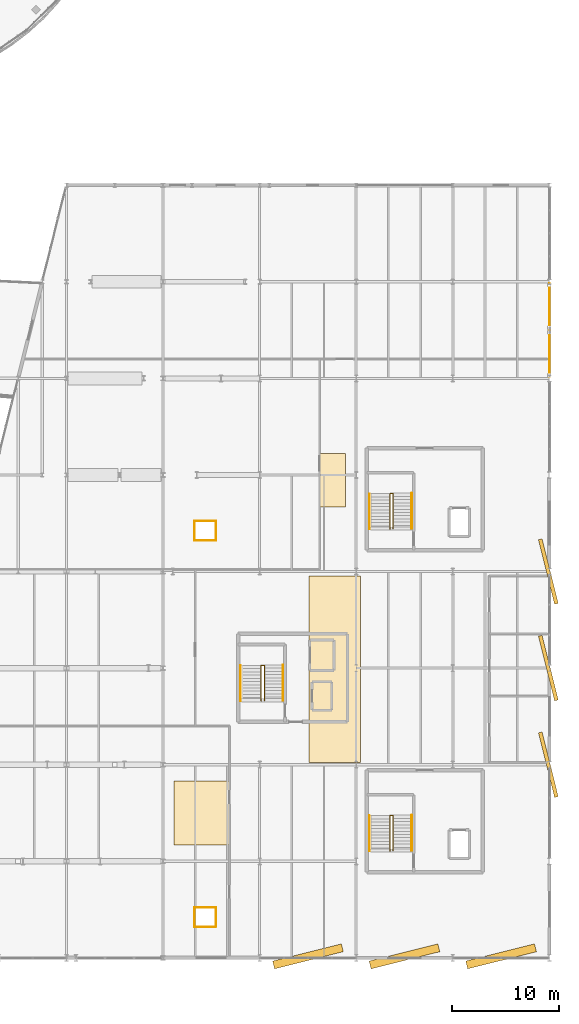
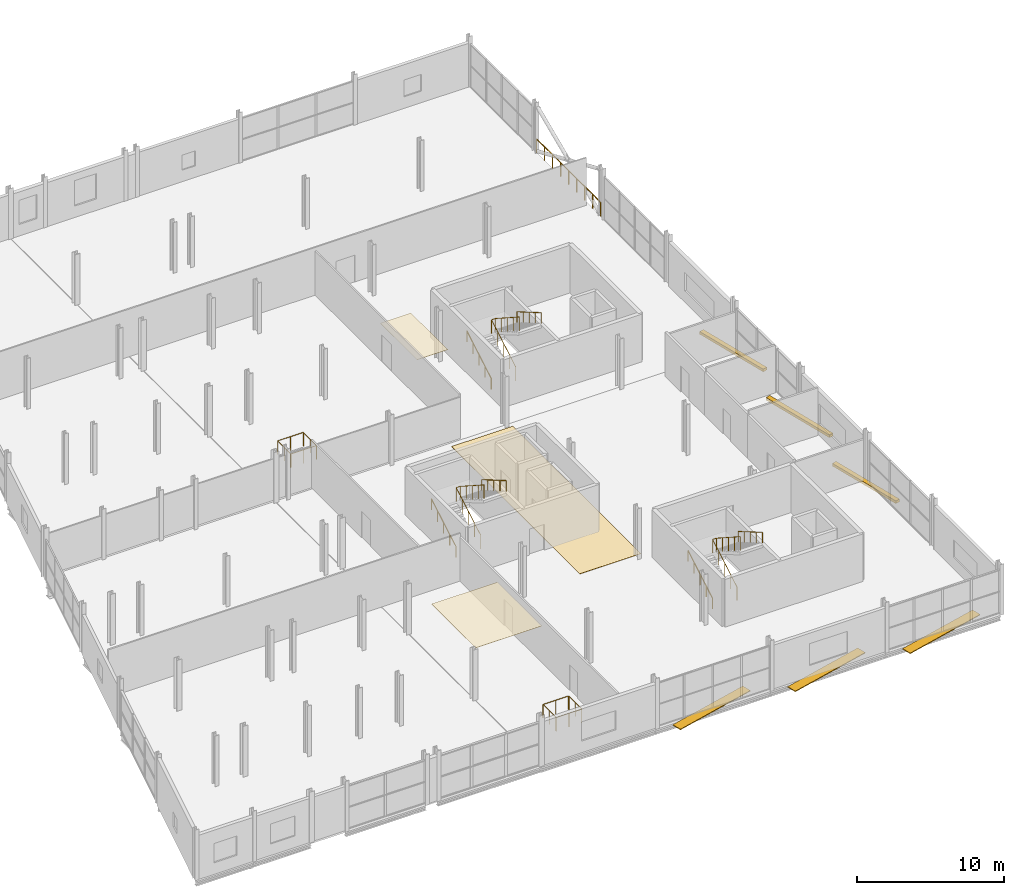
# One storey, part 131 of 135: 14 railings, 6 shading devices, 3 coverings.
"""IFC4 building model written with IfcOpenShell, lengths in metres."""

from ifc_helpers import new_model, si_unit, direction, frame, origin, origin_2d, place, context, subcontext, project, spatial, polyline, rectangle, circle, outline, extrude, material, layer, layer_set, type_object, element, save


model = new_model("IFC4")

# Units and contexts
model_context = context("Model", 3, precision=1e-05, world=origin(), true_north=direction((0.0, 1.0)))
body_context = subcontext(model_context, "Body", "Model", "MODEL_VIEW")
ifc_project = project(units=[si_unit("LENGTHUNIT", "METRE"), si_unit("AREAUNIT", "SQUARE_METRE"), si_unit("VOLUMEUNIT", "CUBIC_METRE"), si_unit("PLANEANGLEUNIT", "RADIAN"), si_unit("MASSUNIT", "GRAM", prefix="KILO")], contexts=[model_context])

# Site, building, storey
site_placement = place(None, origin())
site = spatial("IfcSite", under=ifc_project, at=site_placement, CompositionType="ELEMENT")
building_placement = place(site_placement, origin())
building = spatial("IfcBuilding", under=site, at=building_placement, Name="Deido Ridge Mobility Hub", CompositionType="ELEMENT")
storey_placement = place(building_placement, frame((0.0, 0.0, 4.199951171875)))
storey = spatial("IfcBuildingStorey", under=building, at=storey_placement, Name="L01", CompositionType="ELEMENT", Elevation=4.199951171875)

# Coverings
ifc_material_1 = material(Name="Powder-coated aluminium cladding EN AW-3003", Category="aluminium")
ifc_layer_1 = layer(ifc_material_1, 0.02001953125, Name="Powder-coated aluminium cladding EN AW-3003")
ifc_layer_set_1 = layer_set([ifc_layer_1], Name="Powder-coated aluminium cladding EN AW-3003")
covering_type_1 = type_object("IfcCoveringType", Name="COV-CEIL-ALU-20", PredefinedType="CEILING", material=ifc_layer_set_1)
covering_1_placement = place(storey_placement, frame((0.0, 0.0, 2.949951171875)))
element("IfcCovering", 1, at=covering_1_placement, inside=storey, type_object=covering_type_1, Name="Acoustic suspended ceiling CL1 (L01)", PredefinedType="CEILING", context=body_context, shape_type="SweptSolid", body=[
    extrude(outline(polyline([(145.0, 10.5), (150.199951171875, 10.5), (150.199951171875, 16.5), (145.0, 16.5), (145.0, 10.5)])), origin(), (0.0, 0.0, 1.0), 0.02001953125),
])
covering_2_placement = place(storey_placement, frame((0.0, 0.0, 2.949951171875)))
element("IfcCovering", 2, at=covering_2_placement, inside=storey, type_object=covering_type_1, Name="Corridor acoustic ceiling CL1 (L01)", PredefinedType="CEILING", context=body_context, shape_type="SweptSolid", body=[
    extrude(outline(polyline([(158.60009765625, 42.0), (161.0, 42.0), (161.0, 47.0), (158.60009765625, 47.0), (158.60009765625, 42.0)])), origin(), (0.0, 0.0, 1.0), 0.02001953125),
])
ifc_material_2 = material(Name="Epoxy terrazzo floor finish")
ifc_layer_2 = layer(ifc_material_2, 0.02001953125, Name="Epoxy terrazzo floor finish")
ifc_layer_set_2 = layer_set([ifc_layer_2], Name="Epoxy terrazzo floor finish")
covering_type_2 = type_object("IfcCoveringType", Name="COV-FLR-TER-20", PredefinedType="FLOORING", material=ifc_layer_set_2)
covering_3_placement = place(storey_placement, origin())
element("IfcCovering", 3, at=covering_3_placement, inside=storey, type_object=covering_type_2, Name="Epoxy terrazzo corridor flooring FC1 (L01)", PredefinedType="FLOORING", context=body_context, shape_type="SweptSolid", body=[
    extrude(outline(polyline([(157.60009765625, 18.199951171875), (162.39990234375, 18.199951171875), (162.39990234375, 35.60009765625), (157.60009765625, 35.60009765625), (157.60009765625, 18.199951171875)])), origin(), (0.0, 0.0, 1.0), 0.02001953125),
])

# Railings
ifc_material_3 = material(Name="Galvanised steel work", Category="steel")
railing_type_1 = type_object("IfcRailingType", Name="RL-GRD-EXT-1150", PredefinedType="GUARDRAIL", material=ifc_material_3)
railing_1_placement = place(storey_placement, frame((180.0, 54.14990234375, 0.0)))
element("IfcRailing", 4, at=railing_1_placement, inside=storey, type_object=railing_type_1, Name="Braced bay perimeter guard (L01)", PredefinedType="GUARDRAIL", context=body_context, shape_type="SweptSolid", body=[
    extrude(circle(Radius=0.02392578125, at=origin_2d()), frame((0.0, 0.0, 1.1259765625), z_axis=(0.0, 1.0, 0.0), x_axis=(-1.0, 0.0, 0.0)), (0.0, 0.0, 1.0), 8.7001953125),
    extrude(circle(Radius=0.02099609375, at=origin_2d()), origin(), (0.0, 0.0, 1.0), 1.101806640625),
    extrude(circle(Radius=0.02099609375, at=origin_2d()), frame((0.0, 1.08740234375, 0.0)), (0.0, 0.0, 1.0), 1.101806640625),
    extrude(circle(Radius=0.02099609375, at=origin_2d()), frame((0.0, 2.175048828125, 0.0)), (0.0, 0.0, 1.0), 1.101806640625),
    extrude(circle(Radius=0.02099609375, at=origin_2d()), frame((0.0, 3.2626953125, 0.0)), (0.0, 0.0, 1.0), 1.101806640625),
    extrude(circle(Radius=0.02099609375, at=origin_2d()), frame((0.0, 4.35009765625, 0.0)), (0.0, 0.0, 1.0), 1.101806640625),
    extrude(circle(Radius=0.02099609375, at=origin_2d()), frame((0.0, 5.4375, 0.0)), (0.0, 0.0, 1.0), 1.101806640625),
    extrude(circle(Radius=0.02099609375, at=origin_2d()), frame((0.0, 6.525146484375, 0.0)), (0.0, 0.0, 1.0), 1.101806640625),
    extrude(circle(Radius=0.02099609375, at=origin_2d()), frame((0.0, 7.61279296875, 0.0)), (0.0, 0.0, 1.0), 1.101806640625),
    extrude(circle(Radius=0.02099609375, at=origin_2d()), frame((0.0, 8.7001953125, 0.0)), (0.0, 0.0, 1.0), 1.101806640625),
])
railing_2_placement = place(storey_placement, frame((146.925048828125, 2.89990234375, 0.0)))
element("IfcRailing", 5, at=railing_2_placement, inside=storey, type_object=railing_type_1, Name="Service riser shaft guard (L01) A", PredefinedType="GUARDRAIL", context=body_context, shape_type="SweptSolid", body=[
    extrude(circle(Radius=0.02392578125, at=origin_2d()), frame((0.0, 0.0, 1.1259765625), z_axis=(1.0, 0.0, 0.0), x_axis=(0.0, 1.0, 0.0)), (0.0, 0.0, 1.0), 2.0),
    extrude(circle(Radius=0.02392578125, at=origin_2d()), frame((2.0, 0.0, 1.1259765625), z_axis=(0.0, 1.0, 0.0), x_axis=(-1.0, 0.0, 0.0)), (0.0, 0.0, 1.0), 1.739990234375),
    extrude(circle(Radius=0.02099609375, at=origin_2d()), origin(), (0.0, 0.0, 1.0), 1.101806640625),
    extrude(circle(Radius=0.02099609375, at=origin_2d()), frame((1.0, 0.0, 0.0)), (0.0, 0.0, 1.0), 1.101806640625),
    extrude(circle(Radius=0.02099609375, at=origin_2d()), frame((2.0, 0.0, 0.0)), (0.0, 0.0, 1.0), 1.101806640625),
    extrude(circle(Radius=0.02099609375, at=origin_2d()), frame((2.0, 0.8701171875, 0.0)), (0.0, 0.0, 1.0), 1.101806640625),
    extrude(circle(Radius=0.02099609375, at=origin_2d()), frame((2.0, 1.739990234375, 0.0)), (0.0, 0.0, 1.0), 1.101806640625),
])
railing_3_placement = place(storey_placement, frame((148.925048828125, 4.699951171875, 0.0)))
element("IfcRailing", 6, at=railing_3_placement, inside=storey, type_object=railing_type_1, Name="Service riser shaft guard (L01) B", PredefinedType="GUARDRAIL", context=body_context, shape_type="SweptSolid", body=[
    extrude(circle(Radius=0.02392578125, at=origin_2d()), frame((0.0, 0.0, 1.1259765625), z_axis=(-1.0, 0.0, 0.0), x_axis=(0.0, -1.0, 0.0)), (0.0, 0.0, 1.0), 2.0),
    extrude(circle(Radius=0.02392578125, at=origin_2d()), frame((-2.0, 0.0, 1.1259765625), z_axis=(0.0, -1.0, 0.0), x_axis=(1.0, 0.0, 0.0)), (0.0, 0.0, 1.0), 1.739990234375),
    extrude(circle(Radius=0.02099609375, at=origin_2d()), origin(), (0.0, 0.0, 1.0), 1.101806640625),
    extrude(circle(Radius=0.02099609375, at=origin_2d()), frame((-1.0, 0.0, 0.0)), (0.0, 0.0, 1.0), 1.101806640625),
    extrude(circle(Radius=0.02099609375, at=origin_2d()), frame((-2.0, 0.0, 0.0)), (0.0, 0.0, 1.0), 1.101806640625),
    extrude(circle(Radius=0.02099609375, at=origin_2d()), frame((-2.0, -0.8701171875, 0.0)), (0.0, 0.0, 1.0), 1.101806640625),
    extrude(circle(Radius=0.02099609375, at=origin_2d()), frame((-2.0, -1.739990234375, 0.0)), (0.0, 0.0, 1.0), 1.101806640625),
])
railing_4_placement = place(storey_placement, frame((146.925048828125, 38.89990234375, 0.0)))
element("IfcRailing", 7, at=railing_4_placement, inside=storey, type_object=railing_type_1, Name="Service riser shaft guard (L01) A", PredefinedType="GUARDRAIL", context=body_context, shape_type="SweptSolid", body=[
    extrude(circle(Radius=0.02392578125, at=origin_2d()), frame((0.0, 0.0, 1.1259765625), z_axis=(1.0, 0.0, 0.0), x_axis=(0.0, 1.0, 0.0)), (0.0, 0.0, 1.0), 2.0),
    extrude(circle(Radius=0.02392578125, at=origin_2d()), frame((2.0, 0.0, 1.1259765625), z_axis=(0.0, 1.0, 0.0), x_axis=(-1.0, 0.0, 0.0)), (0.0, 0.0, 1.0), 1.739990234375),
    extrude(circle(Radius=0.02099609375, at=origin_2d()), origin(), (0.0, 0.0, 1.0), 1.101806640625),
    extrude(circle(Radius=0.02099609375, at=origin_2d()), frame((1.0, 0.0, 0.0)), (0.0, 0.0, 1.0), 1.101806640625),
    extrude(circle(Radius=0.02099609375, at=origin_2d()), frame((2.0, 0.0, 0.0)), (0.0, 0.0, 1.0), 1.101806640625),
    extrude(circle(Radius=0.02099609375, at=origin_2d()), frame((2.0, 0.8701171875, 0.0)), (0.0, 0.0, 1.0), 1.101806640625),
    extrude(circle(Radius=0.02099609375, at=origin_2d()), frame((2.0, 1.739990234375, 0.0)), (0.0, 0.0, 1.0), 1.101806640625),
])
railing_5_placement = place(storey_placement, frame((148.925048828125, 40.699951171875, 0.0)))
element("IfcRailing", 8, at=railing_5_placement, inside=storey, type_object=railing_type_1, Name="Service riser shaft guard (L01) B", PredefinedType="GUARDRAIL", context=body_context, shape_type="SweptSolid", body=[
    extrude(circle(Radius=0.02392578125, at=origin_2d()), frame((0.0, 0.0, 1.1259765625), z_axis=(-1.0, 0.0, 0.0), x_axis=(0.0, -1.0, 0.0)), (0.0, 0.0, 1.0), 2.0),
    extrude(circle(Radius=0.02392578125, at=origin_2d()), frame((-2.0, 0.0, 1.1259765625), z_axis=(0.0, -1.0, 0.0), x_axis=(1.0, 0.0, 0.0)), (0.0, 0.0, 1.0), 1.739990234375),
    extrude(circle(Radius=0.02099609375, at=origin_2d()), origin(), (0.0, 0.0, 1.0), 1.101806640625),
    extrude(circle(Radius=0.02099609375, at=origin_2d()), frame((-1.0, 0.0, 0.0)), (0.0, 0.0, 1.0), 1.101806640625),
    extrude(circle(Radius=0.02099609375, at=origin_2d()), frame((-2.0, 0.0, 0.0)), (0.0, 0.0, 1.0), 1.101806640625),
    extrude(circle(Radius=0.02099609375, at=origin_2d()), frame((-2.0, -0.8701171875, 0.0)), (0.0, 0.0, 1.0), 1.101806640625),
    extrude(circle(Radius=0.02099609375, at=origin_2d()), frame((-2.0, -1.739990234375, 0.0)), (0.0, 0.0, 1.0), 1.101806640625),
])
railing_type_2 = type_object("IfcRailingType", Name="RL-STAIR-GRD-1150", PredefinedType="GUARDRAIL", material=ifc_material_3)
railing_6_placement = place(storey_placement, frame((165.14990234375, 9.949951171875, 0.175048828125)))
element("IfcRailing", 9, at=railing_6_placement, inside=storey, type_object=railing_type_2, Name="ST1 inner well guard (L01)", PredefinedType="GUARDRAIL", context=body_context, shape_type="SweptSolid", body=[
    extrude(circle(Radius=0.02392578125, at=origin_2d()), frame((0.0, 0.0, 1.1259765625), z_axis=(0.0, 0.863776583165, 0.503874998761), x_axis=(-1.0, 0.0, 0.0)), (0.0, 0.0, 1.0), 3.820556640625),
    extrude(circle(Radius=0.02392578125, at=origin_2d()), frame((0.0, 3.300048828125, 3.05078125), z_axis=(1.0, 0.0, 0.0), x_axis=(0.0, 1.0, 0.0)), (0.0, 0.0, 1.0), 0.300048828125),
    extrude(circle(Radius=0.02392578125, at=origin_2d()), frame((0.300048828125, 3.300048828125, 3.05078125), z_axis=(0.0, -0.839933924917, 0.542688678501), x_axis=(1.0, 0.0, 0.0)), (0.0, 0.0, 1.0), 3.869384765625),
    extrude(circle(Radius=0.02099609375, at=origin_2d()), origin(), (0.0, 0.0, 1.0), 1.101806640625),
    extrude(circle(Radius=0.02099609375, at=origin_2d()), frame((0.0, 0.824951171875, 0.481201171875)), (0.0, 0.0, 1.0), 1.101806640625),
    extrude(circle(Radius=0.02099609375, at=origin_2d()), frame((0.0, 1.64990234375, 0.96240234375)), (0.0, 0.0, 1.0), 1.101806640625),
    extrude(circle(Radius=0.02099609375, at=origin_2d()), frame((0.0, 2.47509765625, 1.44384765625)), (0.0, 0.0, 1.0), 1.101806640625),
    extrude(circle(Radius=0.02099609375, at=origin_2d()), frame((0.0, 3.300048828125, 1.925048828125)), (0.0, 0.0, 1.0), 1.101806640625),
    extrude(circle(Radius=0.02099609375, at=origin_2d()), frame((0.300048828125, 3.300048828125, 1.925048828125)), (0.0, 0.0, 1.0), 1.101806640625),
    extrude(circle(Radius=0.02099609375, at=origin_2d()), frame((0.300048828125, 2.487548828125, 2.449951171875)), (0.0, 0.0, 1.0), 1.101806640625),
    extrude(circle(Radius=0.02099609375, at=origin_2d()), frame((0.300048828125, 1.675048828125, 2.97509765625)), (0.0, 0.0, 1.0), 1.101806640625),
    extrude(circle(Radius=0.02099609375, at=origin_2d()), frame((0.300048828125, 0.862548828125, 3.5)), (0.0, 0.0, 1.0), 1.101806640625),
    extrude(circle(Radius=0.02099609375, at=origin_2d()), frame((0.300048828125, 0.050048828125, 4.02490234375)), (0.0, 0.0, 1.0), 1.101806640625),
])
railing_7_placement = place(storey_placement, frame((165.14990234375, 39.949951171875, 0.175048828125)))
element("IfcRailing", 10, at=railing_7_placement, inside=storey, type_object=railing_type_2, Name="ST2 inner well guard (L01)", PredefinedType="GUARDRAIL", context=body_context, shape_type="SweptSolid", body=[
    extrude(circle(Radius=0.02392578125, at=origin_2d()), frame((0.0, 0.0, 1.1259765625), z_axis=(0.0, 0.863776583165, 0.503874998761), x_axis=(-1.0, 0.0, 0.0)), (0.0, 0.0, 1.0), 3.820556640625),
    extrude(circle(Radius=0.02392578125, at=origin_2d()), frame((0.0, 3.300048828125, 3.05078125), z_axis=(1.0, 0.0, 0.0), x_axis=(0.0, 1.0, 0.0)), (0.0, 0.0, 1.0), 0.300048828125),
    extrude(circle(Radius=0.02392578125, at=origin_2d()), frame((0.300048828125, 3.300048828125, 3.05078125), z_axis=(0.0, -0.839933924917, 0.542688678501), x_axis=(1.0, 0.0, 0.0)), (0.0, 0.0, 1.0), 3.869384765625),
    extrude(circle(Radius=0.02099609375, at=origin_2d()), origin(), (0.0, 0.0, 1.0), 1.101806640625),
    extrude(circle(Radius=0.02099609375, at=origin_2d()), frame((0.0, 0.824951171875, 0.481201171875)), (0.0, 0.0, 1.0), 1.101806640625),
    extrude(circle(Radius=0.02099609375, at=origin_2d()), frame((0.0, 1.64990234375, 0.96240234375)), (0.0, 0.0, 1.0), 1.101806640625),
    extrude(circle(Radius=0.02099609375, at=origin_2d()), frame((0.0, 2.47509765625, 1.44384765625)), (0.0, 0.0, 1.0), 1.101806640625),
    extrude(circle(Radius=0.02099609375, at=origin_2d()), frame((0.0, 3.300048828125, 1.925048828125)), (0.0, 0.0, 1.0), 1.101806640625),
    extrude(circle(Radius=0.02099609375, at=origin_2d()), frame((0.300048828125, 3.300048828125, 1.925048828125)), (0.0, 0.0, 1.0), 1.101806640625),
    extrude(circle(Radius=0.02099609375, at=origin_2d()), frame((0.300048828125, 2.487548828125, 2.449951171875)), (0.0, 0.0, 1.0), 1.101806640625),
    extrude(circle(Radius=0.02099609375, at=origin_2d()), frame((0.300048828125, 1.675048828125, 2.97509765625)), (0.0, 0.0, 1.0), 1.101806640625),
    extrude(circle(Radius=0.02099609375, at=origin_2d()), frame((0.300048828125, 0.862548828125, 3.5)), (0.0, 0.0, 1.0), 1.101806640625),
    extrude(circle(Radius=0.02099609375, at=origin_2d()), frame((0.300048828125, 0.050048828125, 4.02490234375)), (0.0, 0.0, 1.0), 1.101806640625),
])
railing_8_placement = place(storey_placement, frame((153.14990234375, 23.949951171875, 0.175048828125)))
element("IfcRailing", 11, at=railing_8_placement, inside=storey, type_object=railing_type_2, Name="ST3 inner well guard (L01)", PredefinedType="GUARDRAIL", context=body_context, shape_type="SweptSolid", body=[
    extrude(circle(Radius=0.02392578125, at=origin_2d()), frame((0.0, 0.0, 1.1259765625), z_axis=(0.0, 0.863776583165, 0.503874998761), x_axis=(-1.0, 0.0, 0.0)), (0.0, 0.0, 1.0), 3.820556640625),
    extrude(circle(Radius=0.02392578125, at=origin_2d()), frame((0.0, 3.300048828125, 3.05078125), z_axis=(1.0, 0.0, 0.0), x_axis=(0.0, 1.0, 0.0)), (0.0, 0.0, 1.0), 0.300048828125),
    extrude(circle(Radius=0.02392578125, at=origin_2d()), frame((0.300048828125, 3.300048828125, 3.05078125), z_axis=(0.0, -0.839933924917, 0.542688678501), x_axis=(1.0, 0.0, 0.0)), (0.0, 0.0, 1.0), 3.869384765625),
    extrude(circle(Radius=0.02099609375, at=origin_2d()), origin(), (0.0, 0.0, 1.0), 1.101806640625),
    extrude(circle(Radius=0.02099609375, at=origin_2d()), frame((0.0, 0.824951171875, 0.481201171875)), (0.0, 0.0, 1.0), 1.101806640625),
    extrude(circle(Radius=0.02099609375, at=origin_2d()), frame((0.0, 1.64990234375, 0.96240234375)), (0.0, 0.0, 1.0), 1.101806640625),
    extrude(circle(Radius=0.02099609375, at=origin_2d()), frame((0.0, 2.47509765625, 1.44384765625)), (0.0, 0.0, 1.0), 1.101806640625),
    extrude(circle(Radius=0.02099609375, at=origin_2d()), frame((0.0, 3.300048828125, 1.925048828125)), (0.0, 0.0, 1.0), 1.101806640625),
    extrude(circle(Radius=0.02099609375, at=origin_2d()), frame((0.300048828125, 3.300048828125, 1.925048828125)), (0.0, 0.0, 1.0), 1.101806640625),
    extrude(circle(Radius=0.02099609375, at=origin_2d()), frame((0.300048828125, 2.487548828125, 2.449951171875)), (0.0, 0.0, 1.0), 1.101806640625),
    extrude(circle(Radius=0.02099609375, at=origin_2d()), frame((0.300048828125, 1.675048828125, 2.97509765625)), (0.0, 0.0, 1.0), 1.101806640625),
    extrude(circle(Radius=0.02099609375, at=origin_2d()), frame((0.300048828125, 0.862548828125, 3.5)), (0.0, 0.0, 1.0), 1.101806640625),
    extrude(circle(Radius=0.02099609375, at=origin_2d()), frame((0.300048828125, 0.050048828125, 4.02490234375)), (0.0, 0.0, 1.0), 1.101806640625),
])
ifc_material_4 = material(Name="Stainless steel 316", Category="steel")
railing_type_3 = type_object("IfcRailingType", Name="RL-STAIR-HND-900", PredefinedType="HANDRAIL", material=ifc_material_4)
railing_9_placement = place(storey_placement, frame((163.222412109375, 9.949951171875, 0.175048828125)))
element("IfcRailing", 12, at=railing_9_placement, inside=storey, type_object=railing_type_3, Name="ST1 flight 1 handrail (L01)", PredefinedType="HANDRAIL", context=body_context, shape_type="SweptSolid", body=[
    extrude(circle(Radius=0.02392578125, at=origin_2d()), frame((0.0, 0.0, 0.8759765625), z_axis=(0.0, 0.863776583165, 0.503874998761), x_axis=(-1.0, 0.0, 0.0)), (0.0, 0.0, 1.0), 3.820556640625),
    extrude(circle(Radius=0.02099609375, at=origin_2d()), origin(), (0.0, 0.0, 1.0), 0.851806640625),
    extrude(circle(Radius=0.02099609375, at=origin_2d()), frame((0.0, 0.824951171875, 0.481201171875)), (0.0, 0.0, 1.0), 0.851806640625),
    extrude(circle(Radius=0.02099609375, at=origin_2d()), frame((0.0, 1.64990234375, 0.96240234375)), (0.0, 0.0, 1.0), 0.851806640625),
    extrude(circle(Radius=0.02099609375, at=origin_2d()), frame((0.0, 2.47509765625, 1.44384765625)), (0.0, 0.0, 1.0), 0.851806640625),
    extrude(circle(Radius=0.02099609375, at=origin_2d()), frame((0.0, 3.300048828125, 1.925048828125)), (0.0, 0.0, 1.0), 0.851806640625),
])
railing_10_placement = place(storey_placement, frame((167.175048828125, 13.300048828125, 2.275146484375)))
element("IfcRailing", 13, at=railing_10_placement, inside=storey, type_object=railing_type_3, Name="ST1 flight 2 handrail (L01)", PredefinedType="HANDRAIL", context=body_context, shape_type="SweptSolid", body=[
    extrude(circle(Radius=0.02392578125, at=origin_2d()), frame((0.0, 0.0, 0.8759765625), z_axis=(0.0, -0.863804395585, 0.503827317807), x_axis=(1.0, 0.0, 0.0)), (0.0, 0.0, 1.0), 3.8203125),
    extrude(circle(Radius=0.02099609375, at=origin_2d()), origin(), (0.0, 0.0, 1.0), 0.851806640625),
    extrude(circle(Radius=0.02099609375, at=origin_2d()), frame((0.0, -0.824951171875, 0.481201171875)), (0.0, 0.0, 1.0), 0.851806640625),
    extrude(circle(Radius=0.02099609375, at=origin_2d()), frame((0.0, -1.64990234375, 0.96240234375)), (0.0, 0.0, 1.0), 0.851806640625),
    extrude(circle(Radius=0.02099609375, at=origin_2d()), frame((0.0, -2.47509765625, 1.443603515625)), (0.0, 0.0, 1.0), 0.851806640625),
    extrude(circle(Radius=0.02099609375, at=origin_2d()), frame((0.0, -3.300048828125, 1.9248046875)), (0.0, 0.0, 1.0), 0.851806640625),
])
railing_11_placement = place(storey_placement, frame((163.222412109375, 39.949951171875, 0.175048828125)))
element("IfcRailing", 14, at=railing_11_placement, inside=storey, type_object=railing_type_3, Name="ST2 flight 1 handrail (L01)", PredefinedType="HANDRAIL", context=body_context, shape_type="SweptSolid", body=[
    extrude(circle(Radius=0.02392578125, at=origin_2d()), frame((0.0, 0.0, 0.8759765625), z_axis=(0.0, 0.863776583165, 0.503874998761), x_axis=(-1.0, 0.0, 0.0)), (0.0, 0.0, 1.0), 3.820556640625),
    extrude(circle(Radius=0.02099609375, at=origin_2d()), origin(), (0.0, 0.0, 1.0), 0.851806640625),
    extrude(circle(Radius=0.02099609375, at=origin_2d()), frame((0.0, 0.824951171875, 0.481201171875)), (0.0, 0.0, 1.0), 0.851806640625),
    extrude(circle(Radius=0.02099609375, at=origin_2d()), frame((0.0, 1.64990234375, 0.96240234375)), (0.0, 0.0, 1.0), 0.851806640625),
    extrude(circle(Radius=0.02099609375, at=origin_2d()), frame((0.0, 2.47509765625, 1.44384765625)), (0.0, 0.0, 1.0), 0.851806640625),
    extrude(circle(Radius=0.02099609375, at=origin_2d()), frame((0.0, 3.300048828125, 1.925048828125)), (0.0, 0.0, 1.0), 0.851806640625),
])
railing_12_placement = place(storey_placement, frame((167.175048828125, 43.300048828125, 2.275146484375)))
element("IfcRailing", 15, at=railing_12_placement, inside=storey, type_object=railing_type_3, Name="ST2 flight 2 handrail (L01)", PredefinedType="HANDRAIL", context=body_context, shape_type="SweptSolid", body=[
    extrude(circle(Radius=0.02392578125, at=origin_2d()), frame((0.0, 0.0, 0.8759765625), z_axis=(0.0, -0.863804395585, 0.503827317807), x_axis=(1.0, 0.0, 0.0)), (0.0, 0.0, 1.0), 3.8203125),
    extrude(circle(Radius=0.02099609375, at=origin_2d()), origin(), (0.0, 0.0, 1.0), 0.851806640625),
    extrude(circle(Radius=0.02099609375, at=origin_2d()), frame((0.0, -0.824951171875, 0.481201171875)), (0.0, 0.0, 1.0), 0.851806640625),
    extrude(circle(Radius=0.02099609375, at=origin_2d()), frame((0.0, -1.64990234375, 0.96240234375)), (0.0, 0.0, 1.0), 0.851806640625),
    extrude(circle(Radius=0.02099609375, at=origin_2d()), frame((0.0, -2.47509765625, 1.443603515625)), (0.0, 0.0, 1.0), 0.851806640625),
    extrude(circle(Radius=0.02099609375, at=origin_2d()), frame((0.0, -3.300048828125, 1.9248046875)), (0.0, 0.0, 1.0), 0.851806640625),
])
railing_13_placement = place(storey_placement, frame((151.2099609375, 23.949951171875, 0.175048828125)))
element("IfcRailing", 16, at=railing_13_placement, inside=storey, type_object=railing_type_3, Name="ST3 flight 1 handrail (L01)", PredefinedType="HANDRAIL", context=body_context, shape_type="SweptSolid", body=[
    extrude(circle(Radius=0.02392578125, at=origin_2d()), frame((0.0, 0.0, 0.8759765625), z_axis=(0.0, 0.863776583165, 0.503874998761), x_axis=(-1.0, 0.0, 0.0)), (0.0, 0.0, 1.0), 3.820556640625),
    extrude(circle(Radius=0.02099609375, at=origin_2d()), origin(), (0.0, 0.0, 1.0), 0.851806640625),
    extrude(circle(Radius=0.02099609375, at=origin_2d()), frame((0.0, 0.824951171875, 0.481201171875)), (0.0, 0.0, 1.0), 0.851806640625),
    extrude(circle(Radius=0.02099609375, at=origin_2d()), frame((0.0, 1.64990234375, 0.96240234375)), (0.0, 0.0, 1.0), 0.851806640625),
    extrude(circle(Radius=0.02099609375, at=origin_2d()), frame((0.0, 2.47509765625, 1.44384765625)), (0.0, 0.0, 1.0), 0.851806640625),
    extrude(circle(Radius=0.02099609375, at=origin_2d()), frame((0.0, 3.300048828125, 1.925048828125)), (0.0, 0.0, 1.0), 0.851806640625),
])
railing_14_placement = place(storey_placement, frame((155.175048828125, 27.300048828125, 2.275146484375)))
element("IfcRailing", 17, at=railing_14_placement, inside=storey, type_object=railing_type_3, Name="ST3 flight 2 handrail (L01)", PredefinedType="HANDRAIL", context=body_context, shape_type="SweptSolid", body=[
    extrude(circle(Radius=0.02392578125, at=origin_2d()), frame((0.0, 0.0, 0.8759765625), z_axis=(0.0, -0.863804395585, 0.503827317807), x_axis=(1.0, 0.0, 0.0)), (0.0, 0.0, 1.0), 3.8203125),
    extrude(circle(Radius=0.02099609375, at=origin_2d()), origin(), (0.0, 0.0, 1.0), 0.851806640625),
    extrude(circle(Radius=0.02099609375, at=origin_2d()), frame((0.0, -0.824951171875, 0.481201171875)), (0.0, 0.0, 1.0), 0.851806640625),
    extrude(circle(Radius=0.02099609375, at=origin_2d()), frame((0.0, -1.64990234375, 0.96240234375)), (0.0, 0.0, 1.0), 0.851806640625),
    extrude(circle(Radius=0.02099609375, at=origin_2d()), frame((0.0, -2.47509765625, 1.443603515625)), (0.0, 0.0, 1.0), 0.851806640625),
    extrude(circle(Radius=0.02099609375, at=origin_2d()), frame((0.0, -3.300048828125, 1.9248046875)), (0.0, 0.0, 1.0), 0.851806640625),
])

# Shading devices
ifc_material_5 = material(Name="Anodised aluminium EN AW-6063 T6", Category="aluminium")
ifc_layer_3 = layer(ifc_material_5, 0.219970703125, Name="Anodised aluminium EN AW-6063 T6")
ifc_layer_set_3 = layer_set([ifc_layer_3], Name="Anodised aluminium EN AW-6063 T6")
shading_device_type_1 = type_object("IfcShadingDeviceType", Name="SHD-JALOUSIE-350", PredefinedType="JALOUSIE", material=ifc_layer_set_3)
for number, where, z_axis, x_axis, name in (
    (18, (179.89990234375, 36.0, -0.2099609375), (0.0, 0.0, 1.0), (-0.2419218956, 0.970295726276, 0.0), "Angled solar jalousie screen SD1"),
    (19, (179.89990234375, 27.0, -0.2099609375), (0.0, 0.0, 1.0), (-0.2419218956, 0.970295726276, 0.0), "Angled solar jalousie screen SD1"),
    (20, (179.89990234375, 18.0, -0.2099609375), (0.0, 0.0, 1.0), (-0.2419218956, 0.970295726276, 0.0), "Angled solar jalousie screen SD1"),
):
    element("IfcShadingDevice", number, at=place(storey_placement, frame(where, z_axis=z_axis, x_axis=x_axis)), inside=storey, type_object=shading_device_type_1, Name=name, PredefinedType="JALOUSIE", context=body_context, shape_type="SweptSolid", body=[
        extrude(rectangle(XDim=6.199951171875, YDim=0.35009765625, at=origin_2d()), origin(), (0.0, 0.0, 1.0), 0.219970703125),
    ])
ifc_layer_4 = layer(ifc_material_1, 0.06005859375, Name="Powder-coated aluminium cladding EN AW-3003")
ifc_layer_set_4 = layer_set([ifc_layer_4], Name="Powder-coated aluminium cladding EN AW-3003")
shading_device_type_2 = type_object("IfcShadingDeviceType", Name="SHD-SUNSHADE-750", PredefinedType="USERDEFINED", material=ifc_layer_set_4)
for number, where, z_axis, x_axis, name in (
    (21, (157.5, 0.139892578125, -0.1298828125), (0.0, 0.0, 1.0), (0.970295726276, 0.2419218956, 0.0), "Angled monsoon street sunshade SD2"),
    (22, (166.5, 0.139892578125, -0.1298828125), (0.0, 0.0, 1.0), (0.970295726276, 0.2419218956, 0.0), "Angled monsoon street sunshade SD2"),
    (23, (175.5, 0.139892578125, -0.1298828125), (0.0, 0.0, 1.0), (0.970295726276, 0.2419218956, 0.0), "Angled monsoon street sunshade SD2"),
):
    element("IfcShadingDevice", number, at=place(storey_placement, frame(where, z_axis=z_axis, x_axis=x_axis)), inside=storey, type_object=shading_device_type_2, Name=name, ObjectType="SUNSHADE", PredefinedType="USERDEFINED", context=body_context, shape_type="SweptSolid", body=[
        extrude(rectangle(XDim=6.60009765625, YDim=0.75, at=origin_2d()), origin(), (0.0, 0.0, 1.0), 0.06005859375),
    ])

save(model, "model.ifc")
